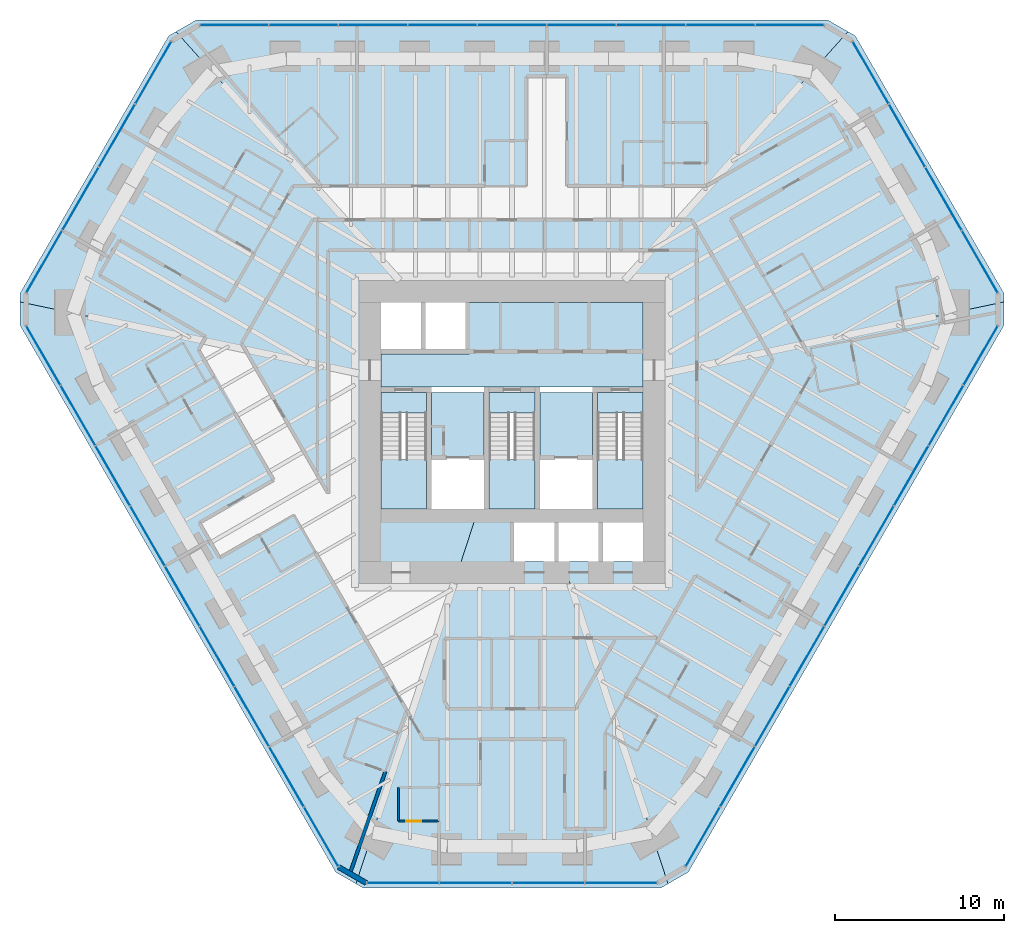
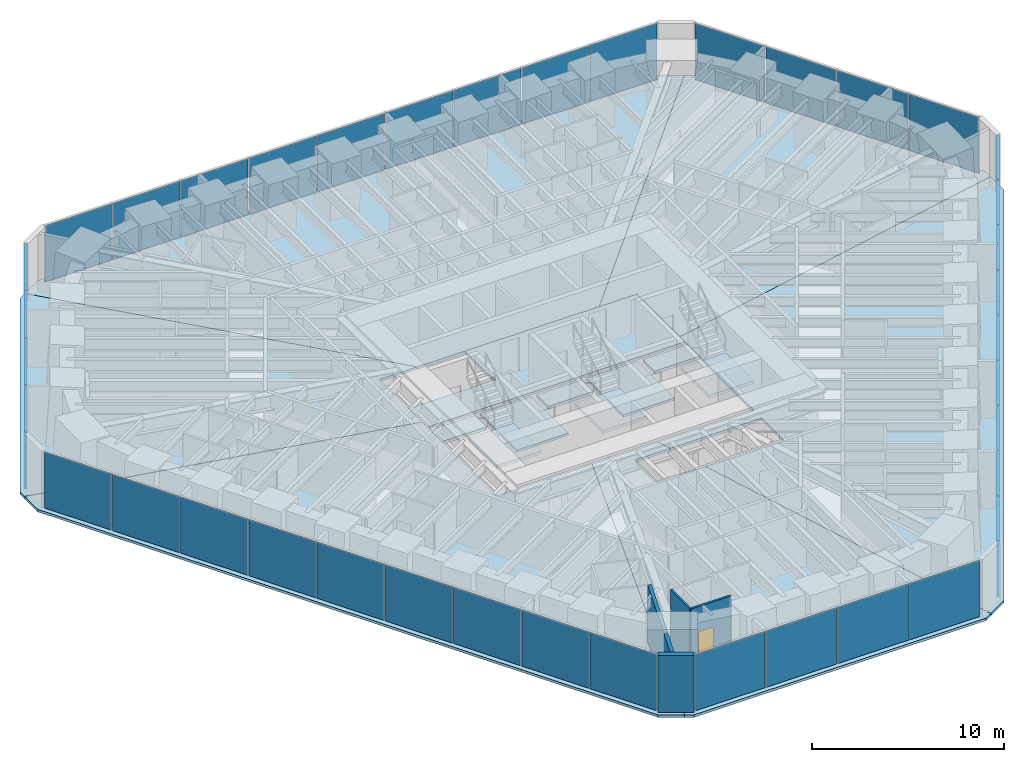
# One storey, part 10 of 17: 39 plates, 15 slabs, 4 walls, 1 door, 1 opening, 9 elements without a shape of their own.
"""IFC4 building model written with IfcOpenShell, lengths in metres."""

from ifc_helpers import new_model, si_unit, direction, frame, frame_2d, origin, origin_2d, place, context, subcontext, project, spatial, polyline, rectangle, outline, extrude, material, layer, layer_set, type_object, element, fill, aggregate, save


model = new_model("IFC4")

# Units and contexts
model_context = context("Model", 3, precision=1e-05, world=origin(), true_north=direction((0.0, 1.0)))
body_context = subcontext(model_context, "Body", "Model", "MODEL_VIEW")
ifc_project = project(units=[si_unit("LENGTHUNIT", "METRE"), si_unit("AREAUNIT", "SQUARE_METRE"), si_unit("VOLUMEUNIT", "CUBIC_METRE"), si_unit("PLANEANGLEUNIT", "RADIAN"), si_unit("MASSUNIT", "GRAM", prefix="KILO")], contexts=[model_context])

# Site, building, storey
site_placement = place(None, origin())
site = spatial("IfcSite", under=ifc_project, at=site_placement, CompositionType="ELEMENT")
building_placement = place(site_placement, origin())
building = spatial("IfcBuilding", under=site, at=building_placement, Name="Sandreach Pilgrim Tower", CompositionType="ELEMENT")
storey_placement = place(building_placement, frame((0.0, 0.0, 161.39990234375)))
storey = spatial("IfcBuildingStorey", under=building, at=storey_placement, Name="L40", CompositionType="ELEMENT", Elevation=161.39990234375)

# Curtain wall, plates
ifc_material_1 = material(Name="Aluminium framed curtain wall", Category="aluminium")
curtain_wall_type = type_object("IfcCurtainWallType", Name="Hotel tower curtain wall", PredefinedType="NOTDEFINED", material=ifc_material_1)
curtain_wall_1_placement = place(storey_placement, origin())
curtain_wall_1 = element("IfcCurtainWall", 1, at=curtain_wall_1_placement, inside=storey, type_object=curtain_wall_type, Name="CW-2 L40 N", PredefinedType="NOTDEFINED")
ifc_material_2 = material(Name="Insulating glass unit 8 heat-strengthened + 16 argon + 8 heat-strengthened", Category="glass")
ifc_layer_1 = layer(ifc_material_2, 0.031982421875)
ifc_layer_set_1 = layer_set([ifc_layer_1], Name="CW-2 panel")
plate_type = type_object("IfcPlateType", Name="CW-2 panel", PredefinedType="CURTAIN_PANEL", material=ifc_layer_set_1)
plate_1_placement = place(storey_placement, frame((-16.41162109375, 22.493896484375, 0.0), z_axis=(0.0, 0.0, 1.0), x_axis=(1.0, 0.0, 0.0)))
plate_1 = element("IfcPlate", 2, at=plate_1_placement, type_object=plate_type, Name="CW-2 panel 1", PredefinedType="CURTAIN_PANEL", context=body_context, shape_type="SweptSolid", body=[
    extrude(rectangle(XDim=4.009521484375, YDim=0.031982421875, at=origin_2d()), origin(), (0.0, 0.0, 1.0), 3.570068359375),
])
plate_2_placement = place(storey_placement, frame((-12.32080078125, 22.493896484375, 0.0), z_axis=(0.0, 0.0, 1.0), x_axis=(1.0, 0.0, 0.0)))
plate_2 = element("IfcPlate", 3, at=plate_2_placement, type_object=plate_type, Name="CW-2 panel 2", PredefinedType="CURTAIN_PANEL", context=body_context, shape_type="SweptSolid", body=[
    extrude(rectangle(XDim=4.0419921875, YDim=0.031982421875, at=origin_2d()), origin(), (0.0, 0.0, 1.0), 3.570068359375),
])
plate_3_placement = place(storey_placement, frame((-8.2138671875, 22.493896484375, 0.0), z_axis=(0.0, 0.0, 1.0), x_axis=(1.0, 0.0, 0.0)))
plate_3 = element("IfcPlate", 4, at=plate_3_placement, type_object=plate_type, Name="CW-2 panel 3", PredefinedType="CURTAIN_PANEL", context=body_context, shape_type="SweptSolid", body=[
    extrude(rectangle(XDim=4.0419921875, YDim=0.031982421875, at=origin_2d()), origin(), (0.0, 0.0, 1.0), 3.570068359375),
])
plate_4_placement = place(storey_placement, frame((-4.10693359375, 22.493896484375, 0.0), z_axis=(0.0, 0.0, 1.0), x_axis=(1.0, 0.0, 0.0)))
plate_4 = element("IfcPlate", 5, at=plate_4_placement, type_object=plate_type, Name="CW-2 panel 4", PredefinedType="CURTAIN_PANEL", context=body_context, shape_type="SweptSolid", body=[
    extrude(rectangle(XDim=4.0419921875, YDim=0.031982421875, at=origin_2d()), origin(), (0.0, 0.0, 1.0), 3.570068359375),
])
plate_5_placement = place(storey_placement, frame((0.0, 22.493896484375, 0.0), z_axis=(0.0, 0.0, 1.0), x_axis=(1.0, 0.0, 0.0)))
plate_5 = element("IfcPlate", 6, at=plate_5_placement, type_object=plate_type, Name="CW-2 panel 5", PredefinedType="CURTAIN_PANEL", context=body_context, shape_type="SweptSolid", body=[
    extrude(rectangle(XDim=4.0419921875, YDim=0.031982421875, at=origin_2d()), origin(), (0.0, 0.0, 1.0), 3.570068359375),
])
plate_6_placement = place(storey_placement, frame((4.10693359375, 22.493896484375, 0.0), z_axis=(0.0, 0.0, 1.0), x_axis=(1.0, 0.0, 0.0)))
plate_6 = element("IfcPlate", 7, at=plate_6_placement, type_object=plate_type, Name="CW-2 panel 6", PredefinedType="CURTAIN_PANEL", context=body_context, shape_type="SweptSolid", body=[
    extrude(rectangle(XDim=4.0419921875, YDim=0.031982421875, at=origin_2d()), origin(), (0.0, 0.0, 1.0), 3.570068359375),
])
plate_7_placement = place(storey_placement, frame((8.2138671875, 22.493896484375, 0.0), z_axis=(0.0, 0.0, 1.0), x_axis=(1.0, 0.0, 0.0)))
plate_7 = element("IfcPlate", 8, at=plate_7_placement, type_object=plate_type, Name="CW-2 panel 7", PredefinedType="CURTAIN_PANEL", context=body_context, shape_type="SweptSolid", body=[
    extrude(rectangle(XDim=4.0419921875, YDim=0.031982421875, at=origin_2d()), origin(), (0.0, 0.0, 1.0), 3.570068359375),
])
plate_8_placement = place(storey_placement, frame((12.32080078125, 22.493896484375, 0.0), z_axis=(0.0, 0.0, 1.0), x_axis=(1.0, 0.0, 0.0)))
plate_8 = element("IfcPlate", 9, at=plate_8_placement, type_object=plate_type, Name="CW-2 panel 8", PredefinedType="CURTAIN_PANEL", context=body_context, shape_type="SweptSolid", body=[
    extrude(rectangle(XDim=4.0419921875, YDim=0.031982421875, at=origin_2d()), origin(), (0.0, 0.0, 1.0), 3.570068359375),
])
plate_9_placement = place(storey_placement, frame((16.41162109375, 22.493896484375, 0.0), z_axis=(0.0, 0.0, 1.0), x_axis=(1.0, 0.0, 0.0)))
plate_9 = element("IfcPlate", 10, at=plate_9_placement, type_object=plate_type, Name="CW-2 panel 9", PredefinedType="CURTAIN_PANEL", context=body_context, shape_type="SweptSolid", body=[
    extrude(rectangle(XDim=4.009521484375, YDim=0.031982421875, at=origin_2d()), origin(), (0.0, 0.0, 1.0), 3.570068359375),
])
aggregate(curtain_wall_1, [plate_1, plate_2, plate_3, plate_4, plate_5, plate_6, plate_7, plate_8, plate_9])

curtain_wall_2_placement = place(storey_placement, origin())
curtain_wall_2 = element("IfcCurtainWall", 11, at=curtain_wall_2_placement, inside=storey, type_object=curtain_wall_type, Name="CW-2 L40 NE", PredefinedType="NOTDEFINED")
plate_10_placement = place(storey_placement, frame((21.194091796875, 19.67529296875, 0.0), z_axis=(0.0, 0.0, 1.0), x_axis=(0.5, -0.866025403784, 0.0)))
plate_10 = element("IfcPlate", 12, at=plate_10_placement, type_object=plate_type, Name="CW-2 panel 1", PredefinedType="CURTAIN_PANEL", context=body_context, shape_type="SweptSolid", body=[
    extrude(rectangle(XDim=4.208251953125, YDim=0.031982421875, at=origin_2d()), origin(), (0.0, 0.0, 1.0), 3.570068359375),
])
plate_11_placement = place(storey_placement, frame((23.3388671875, 15.96044921875, 0.0), z_axis=(0.0, 0.0, 1.0), x_axis=(0.5, -0.866025403784, 0.0)))
plate_11 = element("IfcPlate", 13, at=plate_11_placement, type_object=plate_type, Name="CW-2 panel 2", PredefinedType="CURTAIN_PANEL", context=body_context, shape_type="SweptSolid", body=[
    extrude(rectangle(XDim=4.24072265625, YDim=0.031982421875, at=origin_2d()), origin(), (0.0, 0.0, 1.0), 3.570068359375),
])
plate_12_placement = place(storey_placement, frame((25.49169921875, 12.231689453125, 0.0), z_axis=(0.0, 0.0, 1.0), x_axis=(0.5, -0.866025403784, 0.0)))
plate_12 = element("IfcPlate", 14, at=plate_12_placement, type_object=plate_type, Name="CW-2 panel 3", PredefinedType="CURTAIN_PANEL", context=body_context, shape_type="SweptSolid", body=[
    extrude(rectangle(XDim=4.24072265625, YDim=0.031982421875, at=origin_2d()), origin(), (0.0, 0.0, 1.0), 3.570068359375),
])
plate_13_placement = place(storey_placement, frame((27.63623046875, 8.516845703125, 0.0), z_axis=(0.0, 0.0, 1.0), x_axis=(0.5, -0.866025403784, 0.0)))
plate_13 = element("IfcPlate", 15, at=plate_13_placement, type_object=plate_type, Name="CW-2 panel 4", PredefinedType="CURTAIN_PANEL", context=body_context, shape_type="SweptSolid", body=[
    extrude(rectangle(XDim=4.208251953125, YDim=0.031982421875, at=origin_2d()), origin(), (0.0, 0.0, 1.0), 3.570068359375),
])
aggregate(curtain_wall_2, [plate_10, plate_11, plate_12, plate_13])

curtain_wall_3_placement = place(storey_placement, origin())
curtain_wall_3 = element("IfcCurtainWall", 16, at=curtain_wall_3_placement, inside=storey, type_object=curtain_wall_type, Name="CW-2 L40 SE", PredefinedType="NOTDEFINED")
plate_14_placement = place(storey_placement, frame((27.68603515625, 2.966064453125, 0.0), z_axis=(0.0, 0.0, 1.0), x_axis=(-0.5, -0.866025403784, 0.0)))
plate_14 = element("IfcPlate", 17, at=plate_14_placement, type_object=plate_type, Name="CW-2 panel 1", PredefinedType="CURTAIN_PANEL", context=body_context, shape_type="SweptSolid", body=[
    extrude(rectangle(XDim=4.009521484375, YDim=0.031982421875, at=origin_2d()), origin(), (0.0, 0.0, 1.0), 3.570068359375),
])
plate_15_placement = place(storey_placement, frame((25.640625, -0.57666015625, 0.0), z_axis=(0.0, 0.0, 1.0), x_axis=(-0.5, -0.866025403784, 0.0)))
plate_15 = element("IfcPlate", 18, at=plate_15_placement, type_object=plate_type, Name="CW-2 panel 2", PredefinedType="CURTAIN_PANEL", context=body_context, shape_type="SweptSolid", body=[
    extrude(rectangle(XDim=4.0419921875, YDim=0.031982421875, at=origin_2d()), origin(), (0.0, 0.0, 1.0), 3.570068359375),
])
plate_16_placement = place(storey_placement, frame((23.587158203125, -4.13330078125, 0.0), z_axis=(0.0, 0.0, 1.0), x_axis=(-0.5, -0.866025403784, 0.0)))
plate_16 = element("IfcPlate", 19, at=plate_16_placement, type_object=plate_type, Name="CW-2 panel 3", PredefinedType="CURTAIN_PANEL", context=body_context, shape_type="SweptSolid", body=[
    extrude(rectangle(XDim=4.0419921875, YDim=0.031982421875, at=origin_2d()), origin(), (0.0, 0.0, 1.0), 3.570068359375),
])
plate_17_placement = place(storey_placement, frame((21.53369140625, -7.690185546875, 0.0), z_axis=(0.0, 0.0, 1.0), x_axis=(-0.5, -0.866025403784, 0.0)))
plate_17 = element("IfcPlate", 20, at=plate_17_placement, type_object=plate_type, Name="CW-2 panel 4", PredefinedType="CURTAIN_PANEL", context=body_context, shape_type="SweptSolid", body=[
    extrude(rectangle(XDim=4.0419921875, YDim=0.031982421875, at=origin_2d()), origin(), (0.0, 0.0, 1.0), 3.570068359375),
])
plate_18_placement = place(storey_placement, frame((19.480224609375, -11.246826171875, 0.0), z_axis=(0.0, 0.0, 1.0), x_axis=(-0.5, -0.866025403784, 0.0)))
plate_18 = element("IfcPlate", 21, at=plate_18_placement, type_object=plate_type, Name="CW-2 panel 5", PredefinedType="CURTAIN_PANEL", context=body_context, shape_type="SweptSolid", body=[
    extrude(rectangle(XDim=4.0419921875, YDim=0.031982421875, at=origin_2d()), origin(), (0.0, 0.0, 1.0), 3.570068359375),
])
plate_19_placement = place(storey_placement, frame((17.4267578125, -14.8037109375, 0.0), z_axis=(0.0, 0.0, 1.0), x_axis=(-0.5, -0.866025403784, 0.0)))
plate_19 = element("IfcPlate", 22, at=plate_19_placement, type_object=plate_type, Name="CW-2 panel 6", PredefinedType="CURTAIN_PANEL", context=body_context, shape_type="SweptSolid", body=[
    extrude(rectangle(XDim=4.0419921875, YDim=0.031982421875, at=origin_2d()), origin(), (0.0, 0.0, 1.0), 3.570068359375),
])
plate_20_placement = place(storey_placement, frame((15.373291015625, -18.3603515625, 0.0), z_axis=(0.0, 0.0, 1.0), x_axis=(-0.5, -0.866025403784, 0.0)))
plate_20 = element("IfcPlate", 23, at=plate_20_placement, type_object=plate_type, Name="CW-2 panel 7", PredefinedType="CURTAIN_PANEL", context=body_context, shape_type="SweptSolid", body=[
    extrude(rectangle(XDim=4.0419921875, YDim=0.031982421875, at=origin_2d()), origin(), (0.0, 0.0, 1.0), 3.570068359375),
])
plate_21_placement = place(storey_placement, frame((13.31982421875, -21.917236328125, 0.0), z_axis=(0.0, 0.0, 1.0), x_axis=(-0.5, -0.866025403784, 0.0)))
plate_21 = element("IfcPlate", 24, at=plate_21_placement, type_object=plate_type, Name="CW-2 panel 8", PredefinedType="CURTAIN_PANEL", context=body_context, shape_type="SweptSolid", body=[
    extrude(rectangle(XDim=4.0419921875, YDim=0.031982421875, at=origin_2d()), origin(), (0.0, 0.0, 1.0), 3.570068359375),
])
plate_22_placement = place(storey_placement, frame((11.2744140625, -25.459716796875, 0.0), z_axis=(0.0, 0.0, 1.0), x_axis=(-0.5, -0.866025403784, 0.0)))
plate_22 = element("IfcPlate", 25, at=plate_22_placement, type_object=plate_type, Name="CW-2 panel 9", PredefinedType="CURTAIN_PANEL", context=body_context, shape_type="SweptSolid", body=[
    extrude(rectangle(XDim=4.009521484375, YDim=0.031982421875, at=origin_2d()), origin(), (0.0, 0.0, 1.0), 3.570068359375),
])
aggregate(curtain_wall_3, [plate_14, plate_15, plate_16, plate_17, plate_18, plate_19, plate_20, plate_21, plate_22])

curtain_wall_4_placement = place(storey_placement, origin())
curtain_wall_4 = element("IfcCurtainWall", 26, at=curtain_wall_4_placement, inside=storey, type_object=curtain_wall_type, Name="CW-2 L40 S", PredefinedType="NOTDEFINED")
plate_23_placement = place(storey_placement, frame((6.4423828125, -28.192138671875, 0.0), z_axis=(0.0, 0.0, 1.0), x_axis=(-1.0, 0.0, 0.0)))
plate_23 = element("IfcPlate", 27, at=plate_23_placement, type_object=plate_type, Name="CW-2 panel 1", PredefinedType="CURTAIN_PANEL", context=body_context, shape_type="SweptSolid", body=[
    extrude(rectangle(XDim=4.208251953125, YDim=0.031982421875, at=origin_2d()), origin(), (0.0, 0.0, 1.0), 3.570068359375),
])
plate_24_placement = place(storey_placement, frame((2.15283203125, -28.192138671875, 0.0), z_axis=(0.0, 0.0, 1.0), x_axis=(-1.0, 0.0, 0.0)))
plate_24 = element("IfcPlate", 28, at=plate_24_placement, type_object=plate_type, Name="CW-2 panel 2", PredefinedType="CURTAIN_PANEL", context=body_context, shape_type="SweptSolid", body=[
    extrude(rectangle(XDim=4.24072265625, YDim=0.031982421875, at=origin_2d()), origin(), (0.0, 0.0, 1.0), 3.570068359375),
])
plate_25_placement = place(storey_placement, frame((-2.15283203125, -28.192138671875, 0.0), z_axis=(0.0, 0.0, 1.0), x_axis=(-1.0, 0.0, 0.0)))
plate_25 = element("IfcPlate", 29, at=plate_25_placement, type_object=plate_type, Name="CW-2 panel 3", PredefinedType="CURTAIN_PANEL", context=body_context, shape_type="SweptSolid", body=[
    extrude(rectangle(XDim=4.24072265625, YDim=0.031982421875, at=origin_2d()), origin(), (0.0, 0.0, 1.0), 3.570068359375),
])
plate_26_placement = place(storey_placement, frame((-6.4423828125, -28.192138671875, 0.0), z_axis=(0.0, 0.0, 1.0), x_axis=(-1.0, 0.0, 0.0)))
plate_26 = element("IfcPlate", 30, at=plate_26_placement, type_object=plate_type, Name="CW-2 panel 4", PredefinedType="CURTAIN_PANEL", context=body_context, shape_type="SweptSolid", body=[
    extrude(rectangle(XDim=4.208251953125, YDim=0.031982421875, at=origin_2d()), origin(), (0.0, 0.0, 1.0), 3.570068359375),
])
aggregate(curtain_wall_4, [plate_23, plate_24, plate_25, plate_26])

curtain_wall_5_placement = place(storey_placement, origin())
curtain_wall_5 = element("IfcCurtainWall", 31, at=curtain_wall_5_placement, inside=storey, type_object=curtain_wall_type, Name="CW-2 L40 SW", PredefinedType="NOTDEFINED")
plate_27_placement = place(storey_placement, frame((-11.2744140625, -25.459716796875, 0.0), z_axis=(0.0, 0.0, 1.0), x_axis=(-0.5, 0.866025403784, 0.0)))
plate_27 = element("IfcPlate", 32, at=plate_27_placement, type_object=plate_type, Name="CW-2 panel 1", PredefinedType="CURTAIN_PANEL", context=body_context, shape_type="SweptSolid", body=[
    extrude(rectangle(XDim=4.009521484375, YDim=0.031982421875, at=origin_2d()), origin(), (0.0, 0.0, 1.0), 3.570068359375),
])
plate_28_placement = place(storey_placement, frame((-13.31982421875, -21.917236328125, 0.0), z_axis=(0.0, 0.0, 1.0), x_axis=(-0.5, 0.866025403784, 0.0)))
plate_28 = element("IfcPlate", 33, at=plate_28_placement, type_object=plate_type, Name="CW-2 panel 2", PredefinedType="CURTAIN_PANEL", context=body_context, shape_type="SweptSolid", body=[
    extrude(rectangle(XDim=4.0419921875, YDim=0.031982421875, at=origin_2d()), origin(), (0.0, 0.0, 1.0), 3.570068359375),
])
plate_29_placement = place(storey_placement, frame((-15.373291015625, -18.3603515625, 0.0), z_axis=(0.0, 0.0, 1.0), x_axis=(-0.5, 0.866025403784, 0.0)))
plate_29 = element("IfcPlate", 34, at=plate_29_placement, type_object=plate_type, Name="CW-2 panel 3", PredefinedType="CURTAIN_PANEL", context=body_context, shape_type="SweptSolid", body=[
    extrude(rectangle(XDim=4.0419921875, YDim=0.031982421875, at=origin_2d()), origin(), (0.0, 0.0, 1.0), 3.570068359375),
])
plate_30_placement = place(storey_placement, frame((-17.4267578125, -14.8037109375, 0.0), z_axis=(0.0, 0.0, 1.0), x_axis=(-0.5, 0.866025403784, 0.0)))
plate_30 = element("IfcPlate", 35, at=plate_30_placement, type_object=plate_type, Name="CW-2 panel 4", PredefinedType="CURTAIN_PANEL", context=body_context, shape_type="SweptSolid", body=[
    extrude(rectangle(XDim=4.0419921875, YDim=0.031982421875, at=origin_2d()), origin(), (0.0, 0.0, 1.0), 3.570068359375),
])
plate_31_placement = place(storey_placement, frame((-19.480224609375, -11.246826171875, 0.0), z_axis=(0.0, 0.0, 1.0), x_axis=(-0.5, 0.866025403784, 0.0)))
plate_31 = element("IfcPlate", 36, at=plate_31_placement, type_object=plate_type, Name="CW-2 panel 5", PredefinedType="CURTAIN_PANEL", context=body_context, shape_type="SweptSolid", body=[
    extrude(rectangle(XDim=4.0419921875, YDim=0.031982421875, at=origin_2d()), origin(), (0.0, 0.0, 1.0), 3.570068359375),
])
plate_32_placement = place(storey_placement, frame((-21.53369140625, -7.690185546875, 0.0), z_axis=(0.0, 0.0, 1.0), x_axis=(-0.5, 0.866025403784, 0.0)))
plate_32 = element("IfcPlate", 37, at=plate_32_placement, type_object=plate_type, Name="CW-2 panel 6", PredefinedType="CURTAIN_PANEL", context=body_context, shape_type="SweptSolid", body=[
    extrude(rectangle(XDim=4.0419921875, YDim=0.031982421875, at=origin_2d()), origin(), (0.0, 0.0, 1.0), 3.570068359375),
])
plate_33_placement = place(storey_placement, frame((-23.587158203125, -4.13330078125, 0.0), z_axis=(0.0, 0.0, 1.0), x_axis=(-0.5, 0.866025403784, 0.0)))
plate_33 = element("IfcPlate", 38, at=plate_33_placement, type_object=plate_type, Name="CW-2 panel 7", PredefinedType="CURTAIN_PANEL", context=body_context, shape_type="SweptSolid", body=[
    extrude(rectangle(XDim=4.0419921875, YDim=0.031982421875, at=origin_2d()), origin(), (0.0, 0.0, 1.0), 3.570068359375),
])
plate_34_placement = place(storey_placement, frame((-25.640625, -0.57666015625, 0.0), z_axis=(0.0, 0.0, 1.0), x_axis=(-0.5, 0.866025403784, 0.0)))
plate_34 = element("IfcPlate", 39, at=plate_34_placement, type_object=plate_type, Name="CW-2 panel 8", PredefinedType="CURTAIN_PANEL", context=body_context, shape_type="SweptSolid", body=[
    extrude(rectangle(XDim=4.0419921875, YDim=0.031982421875, at=origin_2d()), origin(), (0.0, 0.0, 1.0), 3.570068359375),
])
plate_35_placement = place(storey_placement, frame((-27.68603515625, 2.966064453125, 0.0), z_axis=(0.0, 0.0, 1.0), x_axis=(-0.5, 0.866025403784, 0.0)))
plate_35 = element("IfcPlate", 40, at=plate_35_placement, type_object=plate_type, Name="CW-2 panel 9", PredefinedType="CURTAIN_PANEL", context=body_context, shape_type="SweptSolid", body=[
    extrude(rectangle(XDim=4.009521484375, YDim=0.031982421875, at=origin_2d()), origin(), (0.0, 0.0, 1.0), 3.570068359375),
])
aggregate(curtain_wall_5, [plate_27, plate_28, plate_29, plate_30, plate_31, plate_32, plate_33, plate_34, plate_35])

curtain_wall_6_placement = place(storey_placement, origin())
curtain_wall_6 = element("IfcCurtainWall", 41, at=curtain_wall_6_placement, inside=storey, type_object=curtain_wall_type, Name="CW-2 L40 NW", PredefinedType="NOTDEFINED")
plate_36_placement = place(storey_placement, frame((-27.63623046875, 8.516845703125, 0.0), z_axis=(0.0, 0.0, 1.0), x_axis=(0.5, 0.866025403784, 0.0)))
plate_36 = element("IfcPlate", 42, at=plate_36_placement, type_object=plate_type, Name="CW-2 panel 1", PredefinedType="CURTAIN_PANEL", context=body_context, shape_type="SweptSolid", body=[
    extrude(rectangle(XDim=4.208251953125, YDim=0.031982421875, at=origin_2d()), origin(), (0.0, 0.0, 1.0), 3.570068359375),
])
plate_37_placement = place(storey_placement, frame((-25.49169921875, 12.231689453125, 0.0), z_axis=(0.0, 0.0, 1.0), x_axis=(0.5, 0.866025403784, 0.0)))
plate_37 = element("IfcPlate", 43, at=plate_37_placement, type_object=plate_type, Name="CW-2 panel 2", PredefinedType="CURTAIN_PANEL", context=body_context, shape_type="SweptSolid", body=[
    extrude(rectangle(XDim=4.24072265625, YDim=0.031982421875, at=origin_2d()), origin(), (0.0, 0.0, 1.0), 3.570068359375),
])
plate_38_placement = place(storey_placement, frame((-23.3388671875, 15.96044921875, 0.0), z_axis=(0.0, 0.0, 1.0), x_axis=(0.5, 0.866025403784, 0.0)))
plate_38 = element("IfcPlate", 44, at=plate_38_placement, type_object=plate_type, Name="CW-2 panel 3", PredefinedType="CURTAIN_PANEL", context=body_context, shape_type="SweptSolid", body=[
    extrude(rectangle(XDim=4.24072265625, YDim=0.031982421875, at=origin_2d()), origin(), (0.0, 0.0, 1.0), 3.570068359375),
])
plate_39_placement = place(storey_placement, frame((-21.194091796875, 19.67529296875, 0.0), z_axis=(0.0, 0.0, 1.0), x_axis=(0.5, 0.866025403784, 0.0)))
plate_39 = element("IfcPlate", 45, at=plate_39_placement, type_object=plate_type, Name="CW-2 panel 4", PredefinedType="CURTAIN_PANEL", context=body_context, shape_type="SweptSolid", body=[
    extrude(rectangle(XDim=4.208251953125, YDim=0.031982421875, at=origin_2d()), origin(), (0.0, 0.0, 1.0), 3.570068359375),
])
aggregate(curtain_wall_6, [plate_36, plate_37, plate_38, plate_39])

# Slabs
ifc_material_3 = material(Name="Concrete 8000 psi", Category="concrete")
ifc_layer_2 = layer(ifc_material_3, 0.159912109375)
ifc_layer_set_2 = layer_set([ifc_layer_2], Name="Composite floor slab 160")
slab_type_1 = type_object("IfcSlabType", Name="Composite floor slab 160", PredefinedType="FLOOR", material=ifc_layer_set_2)
slab_1_placement = place(storey_placement, frame((0.0, 0.0, -0.159912109375)))
element("IfcSlab", 46, at=slab_1_placement, inside=storey, type_object=slab_type_1, Name="Floor slab L40 N sector", PredefinedType="FLOOR", context=body_context, shape_type="SweptSolid", body=[
    extrude(outline(polyline([(-18.654541015625, 22.793701171875), (18.654541015625, 22.793701171875), (19.848388671875, 22.1044921875), (5.477294921875, 6.10009765625), (-5.477294921875, 6.10009765625), (-19.848388671875, 22.1044921875), (-18.654541015625, 22.793701171875)])), origin(), (0.0, 0.0, 1.0), 0.159912109375),
])
slab_2_placement = place(storey_placement, frame((0.0, 0.0, -0.159912109375)))
element("IfcSlab", 47, at=slab_2_placement, inside=storey, type_object=slab_type_1, Name="Floor slab L40 NE sector", PredefinedType="FLOOR", context=body_context, shape_type="SweptSolid", body=[
    extrude(outline(polyline([(20.28271484375, 21.853759765625), (29.0673828125, 6.638427734375), (29.0673828125, 6.13720703125), (7.75, 1.63623046875), (7.75, 6.10009765625), (5.477294921875, 6.10009765625), (19.848388671875, 22.1044921875), (20.28271484375, 21.853759765625)])), origin(), (0.0, 0.0, 1.0), 0.159912109375),
])
slab_3_placement = place(storey_placement, frame((0.0, 0.0, -0.159912109375)))
element("IfcSlab", 48, at=slab_3_placement, inside=storey, type_object=slab_type_1, Name="Floor slab L40 SE sector", PredefinedType="FLOOR", context=body_context, shape_type="SweptSolid", body=[
    extrude(outline(polyline([(29.0673828125, 4.75830078125), (10.41259765625, -27.55224609375), (9.21875, -28.241455078125), (3.003173828125, -9.199951171875), (7.75, -9.199951171875), (7.75, -6.89990234375), (2.252197265625, -6.89990234375), (1.9912109375, -6.10009765625), (7.75, -6.10009765625), (7.75, 1.63623046875), (29.0673828125, 6.13720703125), (29.0673828125, 4.75830078125)])), origin(), (0.0, 0.0, 1.0), 0.159912109375),
])
slab_4_placement = place(storey_placement, frame((0.0, 0.0, -0.159912109375)))
element("IfcSlab", 49, at=slab_4_placement, inside=storey, type_object=slab_type_1, Name="Floor slab L40 S sector", PredefinedType="FLOOR", context=body_context, shape_type="SweptSolid", body=[
    extrude(outline(polyline([(8.78466796875, -28.4921875), (-8.78466796875, -28.4921875), (-9.21875, -28.241455078125), (-1.9912109375, -6.10009765625), (1.9912109375, -6.10009765625), (2.252197265625, -6.89990234375), (0.125, -6.89990234375), (0.125, -9.199951171875), (3.003173828125, -9.199951171875), (9.21875, -28.241455078125), (8.78466796875, -28.4921875)])), origin(), (0.0, 0.0, 1.0), 0.159912109375),
])
slab_5_placement = place(storey_placement, frame((0.0, 0.0, -0.159912109375)))
element("IfcSlab", 50, at=slab_5_placement, inside=storey, type_object=slab_type_1, Name="Floor slab L40 SW sector", PredefinedType="FLOOR", context=body_context, shape_type="SweptSolid", body=[
    extrude(outline(polyline([(-10.41259765625, -27.55224609375), (-29.0673828125, 4.75830078125), (-29.0673828125, 6.13720703125), (-7.75, 1.63623046875), (-7.75, -6.10009765625), (-1.9912109375, -6.10009765625), (-9.21875, -28.241455078125), (-10.41259765625, -27.55224609375)])), origin(), (0.0, 0.0, 1.0), 0.159912109375),
])
slab_6_placement = place(storey_placement, frame((0.0, 0.0, -0.159912109375)))
element("IfcSlab", 51, at=slab_6_placement, inside=storey, type_object=slab_type_1, Name="Floor slab L40 NW sector", PredefinedType="FLOOR", context=body_context, shape_type="SweptSolid", body=[
    extrude(outline(polyline([(-29.0673828125, 6.638427734375), (-20.28271484375, 21.853759765625), (-19.848388671875, 22.1044921875), (-5.477294921875, 6.10009765625), (-7.75, 6.10009765625), (-7.75, 1.63623046875), (-29.0673828125, 6.13720703125), (-29.0673828125, 6.638427734375)])), origin(), (0.0, 0.0, 1.0), 0.159912109375),
])
slab_7_placement = place(storey_placement, frame((0.0, 0.0, -0.159912109375)))
element("IfcSlab", 52, at=slab_7_placement, inside=storey, type_object=slab_type_1, Name="Core floor slab L40", PredefinedType="FLOOR", context=body_context, shape_type="SweptSolid", body=[
    extrude(outline(polyline([(-7.75, 3.050048828125), (-5.375, 3.050048828125), (-5.125, 3.050048828125), (-2.5, 3.050048828125), (-2.5, 3.35009765625), (-2.60009765625, 3.35009765625), (-2.60009765625, 6.10009765625), (7.75, 6.10009765625), (7.75, 1.10009765625), (5.050048828125, 1.10009765625), (4.75, 1.10009765625), (1.64990234375, 1.10009765625), (1.35009765625, 1.10009765625), (-1.35009765625, 1.10009765625), (-1.64990234375, 1.10009765625), (-4.75, 1.10009765625), (-5.050048828125, 1.10009765625), (-7.75, 1.10009765625), (-7.75, 3.050048828125)])), origin(), (0.0, 0.0, 1.0), 0.159912109375),
])
slab_8_placement = place(storey_placement, frame((0.0, 0.0, -0.159912109375)))
element("IfcSlab", 53, at=slab_8_placement, inside=storey, type_object=slab_type_1, Name="Core floor slab L40 2", PredefinedType="FLOOR", context=body_context, shape_type="SweptSolid", body=[
    extrude(outline(polyline([(-1.64990234375, -3.050048828125), (-4.75, -3.050048828125), (-4.75, 0.800048828125), (-1.64990234375, 0.800048828125), (-1.64990234375, -3.050048828125)])), origin(), (0.0, 0.0, 1.0), 0.159912109375),
])
slab_9_placement = place(storey_placement, frame((0.0, 0.0, -0.159912109375)))
element("IfcSlab", 54, at=slab_9_placement, inside=storey, type_object=slab_type_1, Name="Core floor slab L40 3", PredefinedType="FLOOR", context=body_context, shape_type="SweptSolid", body=[
    extrude(outline(polyline([(4.75, -3.050048828125), (1.64990234375, -3.050048828125), (1.64990234375, 0.800048828125), (4.75, 0.800048828125), (4.75, -3.050048828125)])), origin(), (0.0, 0.0, 1.0), 0.159912109375),
])

# Stair, slabs
ifc_material_4 = material(Name="Concrete 8000 psi", Category="concrete")
stair_type = type_object("IfcStairType", Name="Core exit stair", PredefinedType="HALF_TURN_STAIR", material=ifc_material_4)
stair_1_placement = place(storey_placement, origin())
stair_1 = element("IfcStair", 55, at=stair_1_placement, inside=storey, type_object=stair_type, Name="Exit stair ST1 L40", PredefinedType="HALF_TURN_STAIR")
ifc_material_5 = material(Name="Concrete 8000 psi", Category="concrete")
ifc_layer_3 = layer(ifc_material_5, 0.199951171875)
ifc_layer_set_3 = layer_set([ifc_layer_3], Name="Core stair landing 200")
slab_type_2 = type_object("IfcSlabType", Name="Core stair landing 200", PredefinedType="LANDING", material=ifc_layer_set_3)
slab_10_placement = place(storey_placement, frame((0.0, 0.0, -0.199951171875)))
slab_10 = element("IfcSlab", 56, at=slab_10_placement, type_object=slab_type_2, Name="ST1 landing 1", PredefinedType="LANDING", context=body_context, shape_type="SweptSolid", body=[
    extrude(outline(polyline([(-7.75, -0.425048828125), (-5.050048828125, -0.425048828125), (-5.050048828125, 0.800048828125), (-7.75, 0.800048828125), (-7.75, -0.425048828125)])), origin(), (0.0, 0.0, 1.0), 0.199951171875),
])
slab_11_placement = place(storey_placement, frame((0.0, 0.0, 1.7001953125)))
slab_11 = element("IfcSlab", 57, at=slab_11_placement, type_object=slab_type_2, Name="ST1 landing 2", PredefinedType="LANDING", context=body_context, shape_type="SweptSolid", body=[
    extrude(outline(polyline([(-7.75, -6.10009765625), (-5.050048828125, -6.10009765625), (-5.050048828125, -3.175048828125), (-7.75, -3.175048828125), (-7.75, -6.10009765625)])), origin(), (0.0, 0.0, 1.0), 0.199951171875),
])
aggregate(stair_1, [slab_10, slab_11])

stair_2_placement = place(storey_placement, origin())
stair_2 = element("IfcStair", 58, at=stair_2_placement, inside=storey, type_object=stair_type, Name="Exit stair ST3 L40", PredefinedType="HALF_TURN_STAIR")
slab_12_placement = place(storey_placement, frame((0.0, 0.0, -0.199951171875)))
slab_12 = element("IfcSlab", 59, at=slab_12_placement, type_object=slab_type_2, Name="ST3 landing 1", PredefinedType="LANDING", context=body_context, shape_type="SweptSolid", body=[
    extrude(outline(polyline([(-1.35009765625, -0.425048828125), (1.35009765625, -0.425048828125), (1.35009765625, 0.800048828125), (-1.35009765625, 0.800048828125), (-1.35009765625, -0.425048828125)])), origin(), (0.0, 0.0, 1.0), 0.199951171875),
])
slab_13_placement = place(storey_placement, frame((0.0, 0.0, 1.7001953125)))
slab_13 = element("IfcSlab", 60, at=slab_13_placement, type_object=slab_type_2, Name="ST3 landing 2", PredefinedType="LANDING", context=body_context, shape_type="SweptSolid", body=[
    extrude(outline(polyline([(-1.35009765625, -6.10009765625), (1.35009765625, -6.10009765625), (1.35009765625, -3.175048828125), (-1.35009765625, -3.175048828125), (-1.35009765625, -6.10009765625)])), origin(), (0.0, 0.0, 1.0), 0.199951171875),
])
aggregate(stair_2, [slab_12, slab_13])

stair_3_placement = place(storey_placement, origin())
stair_3 = element("IfcStair", 61, at=stair_3_placement, inside=storey, type_object=stair_type, Name="Exit stair ST2 L40", PredefinedType="HALF_TURN_STAIR")
slab_14_placement = place(storey_placement, frame((0.0, 0.0, -0.199951171875)))
slab_14 = element("IfcSlab", 62, at=slab_14_placement, type_object=slab_type_2, Name="ST2 landing 1", PredefinedType="LANDING", context=body_context, shape_type="SweptSolid", body=[
    extrude(outline(polyline([(5.050048828125, -0.425048828125), (7.75, -0.425048828125), (7.75, 0.800048828125), (5.050048828125, 0.800048828125), (5.050048828125, -0.425048828125)])), origin(), (0.0, 0.0, 1.0), 0.199951171875),
])
slab_15_placement = place(storey_placement, frame((0.0, 0.0, 1.7001953125)))
slab_15 = element("IfcSlab", 63, at=slab_15_placement, type_object=slab_type_2, Name="ST2 landing 2", PredefinedType="LANDING", context=body_context, shape_type="SweptSolid", body=[
    extrude(outline(polyline([(5.050048828125, -6.10009765625), (7.75, -6.10009765625), (7.75, -3.175048828125), (5.050048828125, -3.175048828125), (5.050048828125, -6.10009765625)])), origin(), (0.0, 0.0, 1.0), 0.199951171875),
])
aggregate(stair_3, [slab_14, slab_15])

# Wall, opening, door
ifc_material_6 = material(Name="Moisture-resistant gypsum board on steel studs", Category="steel")
ifc_layer_4 = layer(ifc_material_6, 0.1201171875)
ifc_layer_set_4 = layer_set([ifc_layer_4], Name="Bathroom partition 120")
wall_type_1 = type_object("IfcWallType", Name="Bathroom partition 120", PredefinedType="PARTITIONING", material=ifc_layer_set_4)
wall_1_placement = place(storey_placement, frame((-6.7099609375, -24.5400390625, 0.0), z_axis=(0.0, 0.0, 1.0), x_axis=(1.0, 0.0, 0.0)))
wall_1 = element("IfcWall", 64, at=wall_1_placement, inside=storey, type_object=wall_type_1, Name="Bathroom partition L40-066", PredefinedType="PARTITIONING", context=body_context, shape_type="SweptSolid", body=[
    extrude(rectangle(XDim=2.39990234375, YDim=0.1201171875, at=frame_2d((1.199951171875, 0.0))), origin(), (0.0, 0.0, 1.0), 3.64013671875),
])
opening_placement = place(wall_1_placement, frame((0.449951171875, 0.0, 0.0)))
opening = element("IfcOpeningElement", 65, at=opening_placement, cuts=wall_1, Name="Opening D09-12B", PredefinedType="OPENING", context=body_context, shape_type="SweptSolid", body=[
    extrude(rectangle(XDim=0.89990234375, YDim=2.030029296875, at=frame_2d((0.449951171875, 1.01513671875))), frame((0.0, 0.06005859375, 0.0), z_axis=(0.0, -1.0, 0.0), x_axis=(1.0, 0.0, 0.0)), (0.0, 0.0, 1.0), 0.1201171875),
])
ifc_material_7 = material(Name="Timber door, steel frame", Category="steel")
door_type = type_object("IfcDoorType", Name="Bathroom door", OperationType="SINGLE_SWING_LEFT", PredefinedType="DOOR", material=ifc_material_7)
door_placement = place(opening_placement, origin())
door = element("IfcDoor", 66, at=door_placement, inside=storey, type_object=door_type, Name="Door 4012B", OperationType="SINGLE_SWING_LEFT", OverallHeight=2.030029296875, OverallWidth=0.89990234375, PredefinedType="DOOR", context=body_context, shape_type="SweptSolid", body=[
    extrude(rectangle(XDim=0.89990234375, YDim=2.030029296875, at=frame_2d((0.449951171875, 1.01513671875))), frame((0.0, 0.02490234375, 0.0), z_axis=(0.0, -1.0, 0.0), x_axis=(1.0, 0.0, 0.0)), (0.0, 0.0, 1.0), 0.050048828125),
])
fill(opening, door)

# Walls
wall_2_placement = place(storey_placement, frame((-6.7099609375, -22.5400390625, 0.0), z_axis=(0.0, 0.0, 1.0), x_axis=(0.0, -1.0, 0.0)))
element("IfcWall", 67, at=wall_2_placement, inside=storey, type_object=wall_type_1, Name="Bathroom partition L40-067", PredefinedType="PARTITIONING", context=body_context, shape_type="SweptSolid", body=[
    extrude(rectangle(XDim=2.0, YDim=0.1201171875, at=frame_2d((1.0, 0.0))), origin(), (0.0, 0.0, 1.0), 3.64013671875),
])
ifc_material_8 = material(Name="Double steel stud acoustic wall, gypsum board", Category="steel")
ifc_layer_5 = layer(ifc_material_8, 0.199951171875)
ifc_layer_set_5 = layer_set([ifc_layer_5], Name="Party wall 200")
wall_type_2 = type_object("IfcWallType", Name="Party wall 200", PredefinedType="PARTITIONING", material=ifc_layer_set_5)
wall_3_placement = place(storey_placement, frame((-9.580078125, -27.651611328125, 0.0), z_axis=(0.0, 0.0, 1.0), x_axis=(0.327855318627, 0.944727944991, 0.0)))
element("IfcWall", 68, at=wall_3_placement, inside=storey, type_object=wall_type_2, Name="Party wall L40-057", PredefinedType="PARTITIONING", context=body_context, shape_type="SweptSolid", body=[
    extrude(rectangle(XDim=6.405517578125, YDim=0.199951171875, at=frame_2d((3.20263671875, 0.0))), origin(), (0.0, 0.0, 1.0), 3.64013671875),
])
ifc_material_9 = material(Name="Terracotta rainscreen on concrete", Category="masonry")
ifc_layer_6 = layer(ifc_material_9, 0.300048828125)
ifc_layer_set_6 = layer_set([ifc_layer_6], Name="Terracotta chamfer pier")
wall_type_3 = type_object("IfcWallType", Name="Terracotta chamfer pier", PredefinedType="SOLIDWALL", material=ifc_layer_set_6)
wall_4_placement = place(storey_placement, frame((-8.611328125, -28.192138671875, 0.0), z_axis=(0.0, 0.0, 1.0), x_axis=(-0.866045024864, 0.499966013754, 0.0)))
element("IfcWall", 69, at=wall_4_placement, inside=storey, type_object=wall_type_3, Name="Chamfer pier L40 S", PredefinedType="SOLIDWALL", context=body_context, shape_type="SweptSolid", body=[
    extrude(rectangle(XDim=1.880126953125, YDim=0.300048828125, at=frame_2d((0.93994140625, 0.0))), origin(), (0.0, 0.0, 1.0), 3.64013671875),
])

save(model, "model.ifc")
